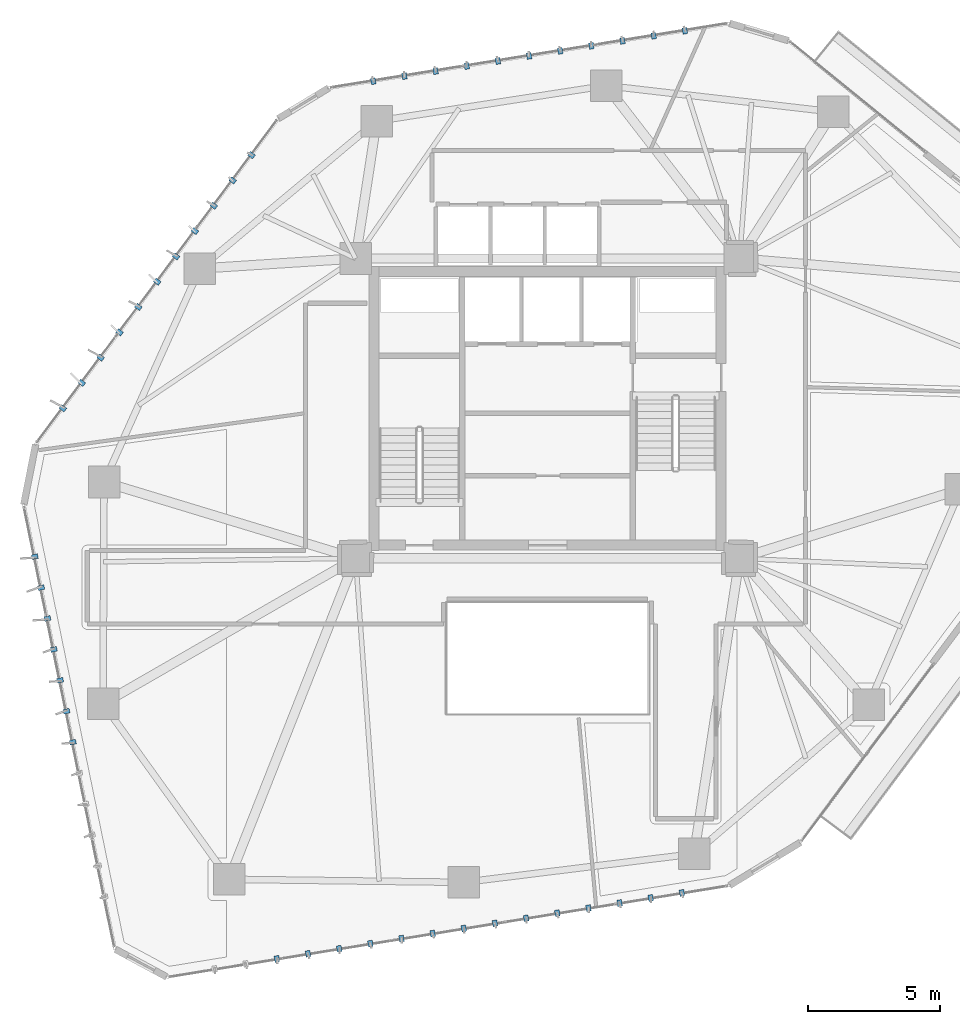
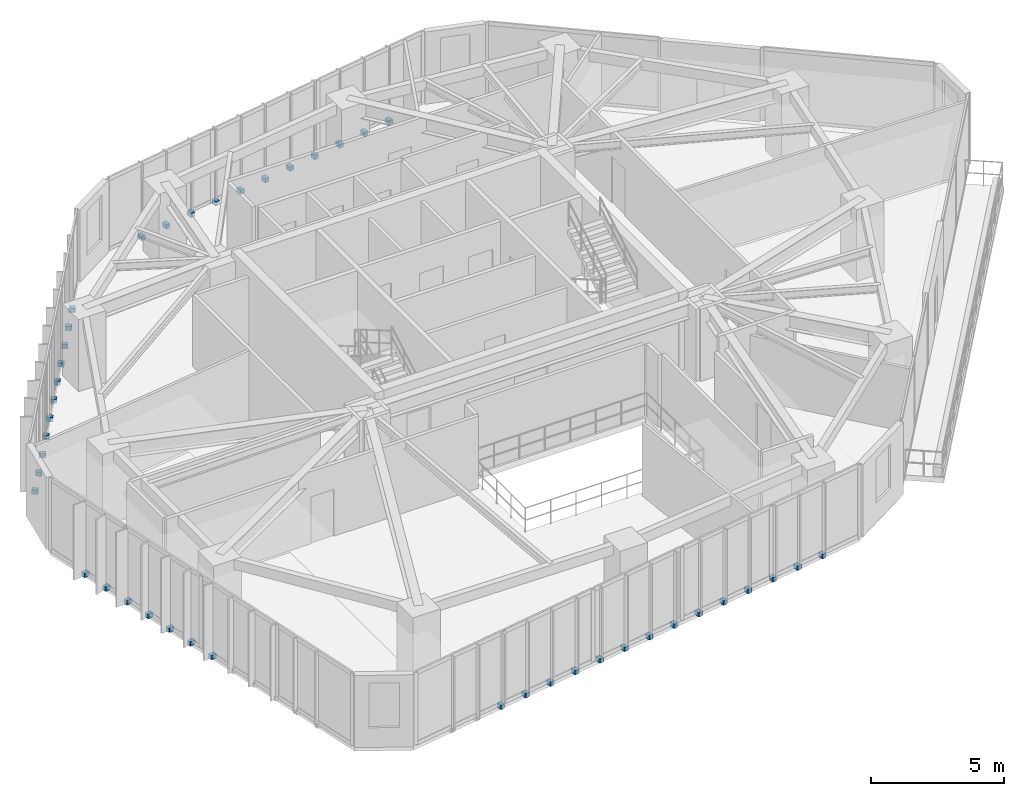
# One storey, part 20 of 23: 43 discrete accessories.
"""IFC4 building model written with IfcOpenShell, lengths in metres."""

from ifc_helpers import new_model, si_unit, direction, frame, origin, origin_2d, place, context, subcontext, project, spatial, rectangle, extrude, source, transform, mapped, material, type_object, type_shapes, element, save


model = new_model("IFC4")

# Units and contexts
model_context = context("Model", 3, precision=1e-05, world=origin(), true_north=direction((0.0, 1.0)))
body_context = subcontext(model_context, "Body", "Model", "MODEL_VIEW")
ifc_project = project(units=[si_unit("LENGTHUNIT", "METRE"), si_unit("AREAUNIT", "SQUARE_METRE"), si_unit("VOLUMEUNIT", "CUBIC_METRE"), si_unit("PLANEANGLEUNIT", "RADIAN"), si_unit("MASSUNIT", "GRAM", prefix="KILO")], contexts=[model_context])

# Site, building, storey
site_placement = place(None, origin())
site = spatial("IfcSite", under=ifc_project, at=site_placement, CompositionType="ELEMENT")
building_placement = place(site_placement, origin())
building = spatial("IfcBuilding", under=site, at=building_placement, Name="Talar Marvaseh", CompositionType="ELEMENT")
storey_placement = place(building_placement, frame((0.0, 0.0, 118.199951171875)))
storey = spatial("IfcBuildingStorey", under=building, at=storey_placement, Name="L30", CompositionType="ELEMENT", Elevation=118.199951171875)

# Discrete accessories
ifc_material = material(Name="Stainless Steel Grade 316", Category="steel")
discrete_accessory_type = type_object("IfcDiscreteAccessoryType", Name="Stainless Slab-Edge Fin Mounting Bracket", PredefinedType="BRACKET", material=ifc_material)
shared_shape = source(origin(), body_context, "Body", "SweptSolid", [
    extrude(rectangle(XDim=0.239990234375, YDim=0.179931640625, at=origin_2d()), origin(), (0.0, 0.0, 1.0), 0.199951171875),
])
type_shapes(discrete_accessory_type, [shared_shape])
for number, where, z_axis, x_axis, name in (
    (1, (7.950927734375, 18.51171875, -0.1796875), (0.0, 0.0, 1.0), (-0.979575249599, -0.201077921146, 0.0), "L30 Vertical Fin Slab-Edge Bracket"),
    (2, (7.709716796875, 19.687255859375, -0.1796875), (0.0, 0.0, 1.0), (-0.979575249599, -0.201077921146, 0.0), "L30 Vertical Fin Slab-Edge Bracket"),
    (3, (7.468505859375, 20.86279296875, -0.1796875), (0.0, 0.0, 1.0), (-0.979575249599, -0.201077921146, 0.0), "L30 Vertical Fin Slab-Edge Bracket"),
    (4, (7.227294921875, 22.0380859375, -0.1796875), (0.0, 0.0, 1.0), (-0.979575249599, -0.201077921146, 0.0), "L30 Vertical Fin Slab-Edge Bracket"),
    (5, (6.986083984375, 23.213623046875, -0.1796875), (0.0, 0.0, 1.0), (-0.979575249599, -0.201077921146, 0.0), "L30 Vertical Fin Slab-Edge Bracket"),
    (6, (6.744873046875, 24.38916015625, -0.1796875), (0.0, 0.0, 1.0), (-0.979575249599, -0.201077921146, 0.0), "L30 Vertical Fin Slab-Edge Bracket"),
    (7, (6.503662109375, 25.564697265625, -0.1796875), (0.0, 0.0, 1.0), (-0.979575249599, -0.201077921146, 0.0), "L30 Vertical Fin Slab-Edge Bracket"),
    (8, (7.57373046875, 31.2080078125, -0.1796875), (0.0, 0.0, 1.0), (-0.801984205923, 0.597345238075, 0.0), "L30 Vertical Fin Slab-Edge Bracket"),
    (9, (8.29052734375, 32.170166015625, -0.1796875), (0.0, 0.0, 1.0), (-0.801984205923, 0.597345238075, 0.0), "L30 Vertical Fin Slab-Edge Bracket"),
    (10, (9.00732421875, 33.132568359375, -0.1796875), (0.0, 0.0, 1.0), (-0.801984205923, 0.597345238075, 0.0), "L30 Vertical Fin Slab-Edge Bracket"),
    (11, (9.724365234375, 34.094970703125, -0.1796875), (0.0, 0.0, 1.0), (-0.801984205923, 0.597345238075, 0.0), "L30 Vertical Fin Slab-Edge Bracket"),
    (12, (10.441162109375, 35.057373046875, -0.1796875), (0.0, 0.0, 1.0), (-0.801984205923, 0.597345238075, 0.0), "L30 Vertical Fin Slab-Edge Bracket"),
    (13, (11.157958984375, 36.01953125, -0.1796875), (0.0, 0.0, 1.0), (-0.801984205923, 0.597345238075, 0.0), "L30 Vertical Fin Slab-Edge Bracket"),
    (14, (11.874755859375, 36.98193359375, -0.1796875), (0.0, 0.0, 1.0), (-0.801984205923, 0.597345238075, 0.0), "L30 Vertical Fin Slab-Edge Bracket"),
    (15, (12.591796875, 37.9443359375, -0.1796875), (0.0, 0.0, 1.0), (-0.801984205923, 0.597345238075, 0.0), "L30 Vertical Fin Slab-Edge Bracket"),
    (16, (13.30859375, 38.90673828125, -0.1796875), (0.0, 0.0, 1.0), (-0.801984205923, 0.597345238075, 0.0), "L30 Vertical Fin Slab-Edge Bracket"),
    (17, (14.025390625, 39.869140625, -0.1796875), (0.0, 0.0, 1.0), (-0.801984205923, 0.597345238075, 0.0), "L30 Vertical Fin Slab-Edge Bracket"),
    (18, (14.7421875, 40.831298828125, -0.1796875), (0.0, 0.0, 1.0), (-0.801984205923, 0.597345238075, 0.0), "L30 Vertical Fin Slab-Edge Bracket"),
    (19, (19.373046875, 43.6416015625, -0.1796875), (0.0, 0.0, 1.0), (-0.159536602398, 0.987192013995, 0.0), "L30 Vertical Fin Slab-Edge Bracket"),
    (20, (20.557861328125, 43.8330078125, -0.1796875), (0.0, 0.0, 1.0), (-0.159536602398, 0.987192013995, 0.0), "L30 Vertical Fin Slab-Edge Bracket"),
    (21, (21.742431640625, 44.0244140625, -0.1796875), (0.0, 0.0, 1.0), (-0.159536602398, 0.987192013995, 0.0), "L30 Vertical Fin Slab-Edge Bracket"),
    (22, (22.927001953125, 44.216064453125, -0.1796875), (0.0, 0.0, 1.0), (-0.159536602398, 0.987192013995, 0.0), "L30 Vertical Fin Slab-Edge Bracket"),
    (23, (24.111572265625, 44.407470703125, -0.1796875), (0.0, 0.0, 1.0), (-0.159536602398, 0.987192013995, 0.0), "L30 Vertical Fin Slab-Edge Bracket"),
    (24, (25.29638671875, 44.59912109375, -0.1796875), (0.0, 0.0, 1.0), (-0.159536602398, 0.987192013995, 0.0), "L30 Vertical Fin Slab-Edge Bracket"),
    (25, (26.48095703125, 44.79052734375, -0.1796875), (0.0, 0.0, 1.0), (-0.159536602398, 0.987192013995, 0.0), "L30 Vertical Fin Slab-Edge Bracket"),
    (26, (27.66552734375, 44.98193359375, -0.1796875), (0.0, 0.0, 1.0), (-0.159536602398, 0.987192013995, 0.0), "L30 Vertical Fin Slab-Edge Bracket"),
    (27, (28.85009765625, 45.17333984375, -0.1796875), (0.0, 0.0, 1.0), (-0.159536602398, 0.987192013995, 0.0), "L30 Vertical Fin Slab-Edge Bracket"),
    (28, (30.034912109375, 45.364990234375, -0.1796875), (0.0, 0.0, 1.0), (-0.159536602398, 0.987192013995, 0.0), "L30 Vertical Fin Slab-Edge Bracket"),
    (29, (31.219482421875, 45.556396484375, -0.1796875), (0.0, 0.0, 1.0), (-0.159536602398, 0.987192013995, 0.0), "L30 Vertical Fin Slab-Edge Bracket"),
    (30, (31.105712890625, 12.783203125, -0.1796875), (0.0, 0.0, 1.0), (0.160914826518, -0.986968296657, 0.0), "L30 Vertical Fin Slab-Edge Bracket"),
    (31, (29.92138671875, 12.590087890625, -0.1796875), (0.0, 0.0, 1.0), (0.160914826518, -0.986968296657, 0.0), "L30 Vertical Fin Slab-Edge Bracket"),
    (32, (28.737060546875, 12.39697265625, -0.1796875), (0.0, 0.0, 1.0), (0.160914826518, -0.986968296657, 0.0), "L30 Vertical Fin Slab-Edge Bracket"),
    (33, (27.552490234375, 12.203857421875, -0.1796875), (0.0, 0.0, 1.0), (0.160914826518, -0.986968296657, 0.0), "L30 Vertical Fin Slab-Edge Bracket"),
    (34, (26.3681640625, 12.0107421875, -0.1796875), (0.0, 0.0, 1.0), (0.160914826518, -0.986968296657, 0.0), "L30 Vertical Fin Slab-Edge Bracket"),
    (35, (25.183837890625, 11.817626953125, -0.1796875), (0.0, 0.0, 1.0), (0.160914826518, -0.986968296657, 0.0), "L30 Vertical Fin Slab-Edge Bracket"),
    (36, (23.99951171875, 11.624755859375, -0.1796875), (0.0, 0.0, 1.0), (0.160914826518, -0.986968296657, 0.0), "L30 Vertical Fin Slab-Edge Bracket"),
    (37, (22.815185546875, 11.431640625, -0.1796875), (0.0, 0.0, 1.0), (0.160914826518, -0.986968296657, 0.0), "L30 Vertical Fin Slab-Edge Bracket"),
    (38, (21.630859375, 11.238525390625, -0.1796875), (0.0, 0.0, 1.0), (0.160914826518, -0.986968296657, 0.0), "L30 Vertical Fin Slab-Edge Bracket"),
    (39, (20.4462890625, 11.04541015625, -0.1796875), (0.0, 0.0, 1.0), (0.160914826518, -0.986968296657, 0.0), "L30 Vertical Fin Slab-Edge Bracket"),
    (40, (19.261962890625, 10.852294921875, -0.1796875), (0.0, 0.0, 1.0), (0.160914826518, -0.986968296657, 0.0), "L30 Vertical Fin Slab-Edge Bracket"),
    (41, (18.07763671875, 10.6591796875, -0.1796875), (0.0, 0.0, 1.0), (0.160914826518, -0.986968296657, 0.0), "L30 Vertical Fin Slab-Edge Bracket"),
    (42, (16.893310546875, 10.46630859375, -0.1796875), (0.0, 0.0, 1.0), (0.160914826518, -0.986968296657, 0.0), "L30 Vertical Fin Slab-Edge Bracket"),
    (43, (15.708984375, 10.273193359375, -0.1796875), (0.0, 0.0, 1.0), (0.160914826518, -0.986968296657, 0.0), "L30 Vertical Fin Slab-Edge Bracket"),
):
    element("IfcDiscreteAccessory", number, at=place(storey_placement, frame(where, z_axis=z_axis, x_axis=x_axis)), inside=storey, type_object=discrete_accessory_type, Name=name, PredefinedType="BRACKET", context=body_context, shape_type="MappedRepresentation", body=[
        mapped(shared_shape, transform((0.0, 0.0, 0.0), x_axis=(1.0, 0.0, 0.0), y_axis=(0.0, 1.0, 0.0), z_axis=(0.0, 0.0, 1.0), scale=1.0)),
    ])

save(model, "model.ifc")
